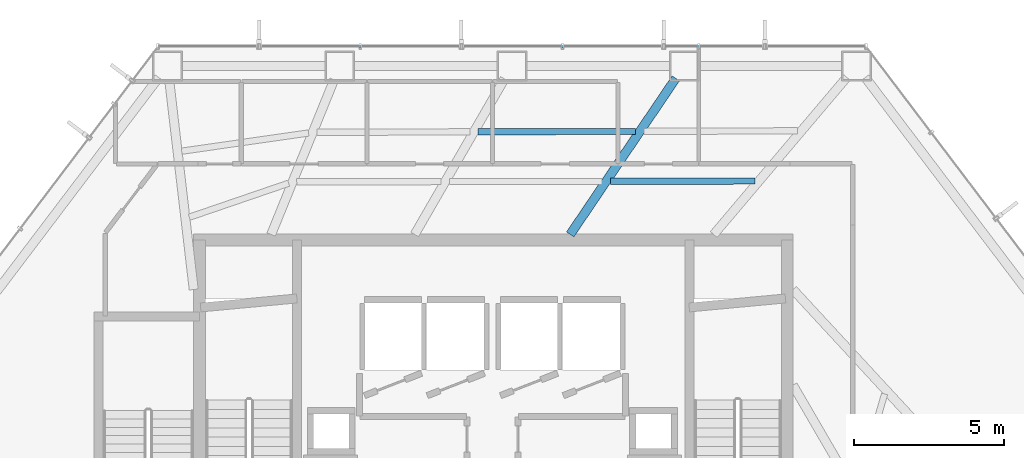
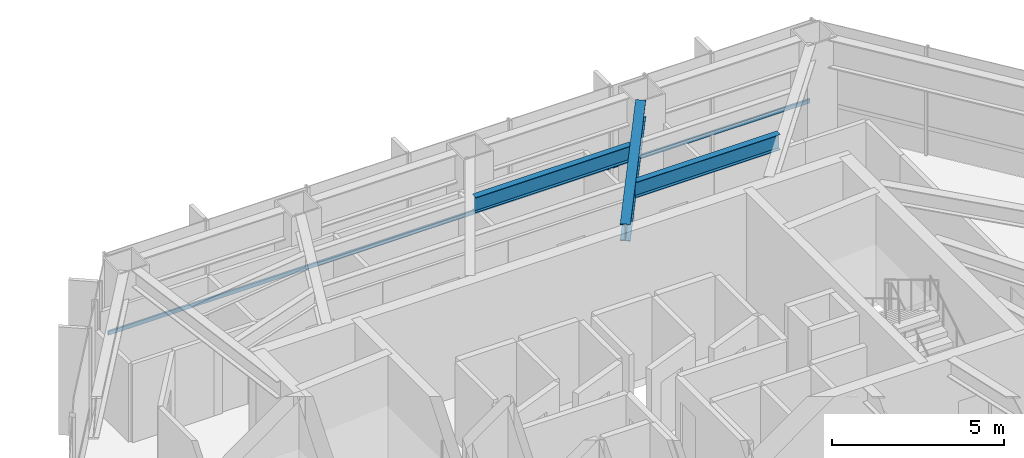
# One storey, part 14 of 25: 3 beams, 1 member, 1 element without a shape of its own.
"""IFC4 building model written with IfcOpenShell, lengths in metres."""

from ifc_helpers import new_model, si_unit, direction, frame, origin, origin_2d, place, context, subcontext, project, spatial, hollow_rectangle, i_section, extrude, material, layer, layer_set, material_profile, profile_set, type_object, element, aggregate, save


model = new_model("IFC4")

# Units and contexts
model_context = context("Model", 3, precision=1e-05, world=origin(), true_north=direction((0.0, 1.0)))
body_context = subcontext(model_context, "Body", "Model", "MODEL_VIEW")
ifc_project = project(units=[si_unit("LENGTHUNIT", "METRE"), si_unit("AREAUNIT", "SQUARE_METRE"), si_unit("VOLUMEUNIT", "CUBIC_METRE"), si_unit("PLANEANGLEUNIT", "RADIAN"), si_unit("MASSUNIT", "GRAM", prefix="KILO")], contexts=[model_context])

# Site, building, storey
site_placement = place(None, origin())
site = spatial("IfcSite", under=ifc_project, at=site_placement, CompositionType="ELEMENT")
building_placement = place(site_placement, origin())
building = spatial("IfcBuilding", under=site, at=building_placement, Name="Zarrinselat Tower", CompositionType="ELEMENT")
storey_placement = place(building_placement, frame((0.0, 0.0, 52.02001953125)))
storey = spatial("IfcBuildingStorey", under=building, at=storey_placement, Name="L12", CompositionType="ELEMENT", Elevation=52.02001953125)

# Beams
ifc_material_1 = material(Name="Steel S355J2", Category="steel")
ifc_material_profile_1 = material_profile(ifc_material_1, i_section(OverallWidth=0.300048828125, OverallDepth=0.60009765625, WebThickness=0.015380859375, FlangeThickness=0.030029296875, at=origin_2d()), Name="HEB 600")
ifc_profile_set_1 = profile_set([ifc_material_profile_1], Name="Steel S355J2")
beam_type_1 = type_object("IfcBeamType", Name="BM-HEB600", PredefinedType="BEAM", material=ifc_profile_set_1)
beam_1_placement = place(storey_placement, frame((41.0, 43.639892578125, 3.52001953125), z_axis=(0.560343745781, 0.82826015633, 0.0), x_axis=(-0.82826015633, 0.560343745781, 0.0)))
element("IfcBeam", 1, at=beam_1_placement, inside=storey, type_object=beam_type_1, Name="L12 Radial Primary Girder RG02", PredefinedType="BEAM", context=body_context, shape_type="SweptSolid", body=[
    extrude(i_section(OverallWidth=0.300048828125, OverallDepth=0.60009765625, WebThickness=0.015380859375, FlangeThickness=0.030029296875, at=origin_2d()), origin(), (0.0, 0.0, 1.0), 6.304931640625),
])
ifc_material_2 = material(Name="Steel S355J2", Category="steel")
ifc_material_profile_2 = material_profile(ifc_material_2, i_section(OverallWidth=0.2099609375, OverallDepth=0.550048828125, WebThickness=0.010986328125, FlangeThickness=0.01708984375, at=origin_2d()), Name="IPE 550")
ifc_profile_set_2 = profile_set([ifc_material_profile_2], Name="Steel S355J2")
beam_type_2 = type_object("IfcBeamType", Name="BM-IPE550", PredefinedType="JOIST", material=ifc_profile_set_2)
beam_2_placement = place(storey_placement, frame((42.34130859375, 45.415771484375, 3.544921875), z_axis=(0.999997639447, 0.002172809424, 0.0), x_axis=(-0.002172809424, 0.999997639447, 0.0)))
element("IfcBeam", 2, at=beam_2_placement, inside=storey, type_object=beam_type_2, Name="L12 Composite Floor Joist 7-2", PredefinedType="JOIST", context=body_context, shape_type="SweptSolid", body=[
    extrude(i_section(OverallWidth=0.2099609375, OverallDepth=0.550048828125, WebThickness=0.010986328125, FlangeThickness=0.01708984375, at=origin_2d()), origin(), (0.0, 0.0, 1.0), 4.83154296875),
])
beam_3_placement = place(storey_placement, frame((37.922119140625, 47.07421875, 3.544921875), z_axis=(0.999997423344, 0.002270089124, 0.0), x_axis=(-0.002270089124, 0.999997423344, 0.0)))
element("IfcBeam", 3, at=beam_3_placement, inside=storey, type_object=beam_type_2, Name="L12 Composite Floor Joist 8-1", PredefinedType="JOIST", context=body_context, shape_type="SweptSolid", body=[
    extrude(i_section(OverallWidth=0.2099609375, OverallDepth=0.550048828125, WebThickness=0.010986328125, FlangeThickness=0.01708984375, at=origin_2d()), origin(), (0.0, 0.0, 1.0), 5.269775390625),
])

# Curtain wall, member
ifc_material_3 = material(Name="Extruded Aluminium Alloy EN AW-6063 T6", Category="aluminium")
ifc_layer = layer(ifc_material_3, 0.18505859375)
ifc_layer_set = layer_set([ifc_layer], Name="Extruded Aluminium Alloy EN AW-6063 T6")
curtain_wall_type = type_object("IfcCurtainWallType", Name="CWS-OFF", PredefinedType="NOTDEFINED", material=ifc_layer_set)
curtain_wall_placement = place(storey_placement, origin())
curtain_wall = element("IfcCurtainWall", 4, at=curtain_wall_placement, inside=storey, type_object=curtain_wall_type, Name="L12 Unitised Curtain Wall CW-L12-E01", PredefinedType="NOTDEFINED")
ifc_material_4 = material(Name="Extruded Aluminium Alloy EN AW-6063 T6", Category="aluminium")
ifc_material_profile_3 = material_profile(ifc_material_4, hollow_rectangle(XDim=0.06005859375, YDim=0.139892578125, WallThickness=0.00390625, at=origin_2d()), Name="RHS 140x60x4")
ifc_profile_set_3 = profile_set([ifc_material_profile_3], Name="Extruded Aluminium Alloy EN AW-6063 T6")
member_type = type_object("IfcMemberType", Name="MEM-CW-TRN", PredefinedType="USERDEFINED", material=ifc_profile_set_3)
member_placement = place(storey_placement, frame((50.80712890625, 49.927734375, 0.949951171875), z_axis=(-1.0, 0.0, 0.0), x_axis=(0.0, -1.0, 0.0)))
member = element("IfcMember", 5, at=member_placement, type_object=member_type, Name="CW-L12-E01 Transom 1", ObjectType="TRANSOM", PredefinedType="USERDEFINED", context=body_context, shape_type="SweptSolid", body=[
    extrude(hollow_rectangle(XDim=0.06005859375, YDim=0.139892578125, WallThickness=0.00390625, at=origin_2d()), origin(), (0.0, 0.0, 1.0), 23.505615234375),
])
aggregate(curtain_wall, [member])

save(model, "model.ifc")
